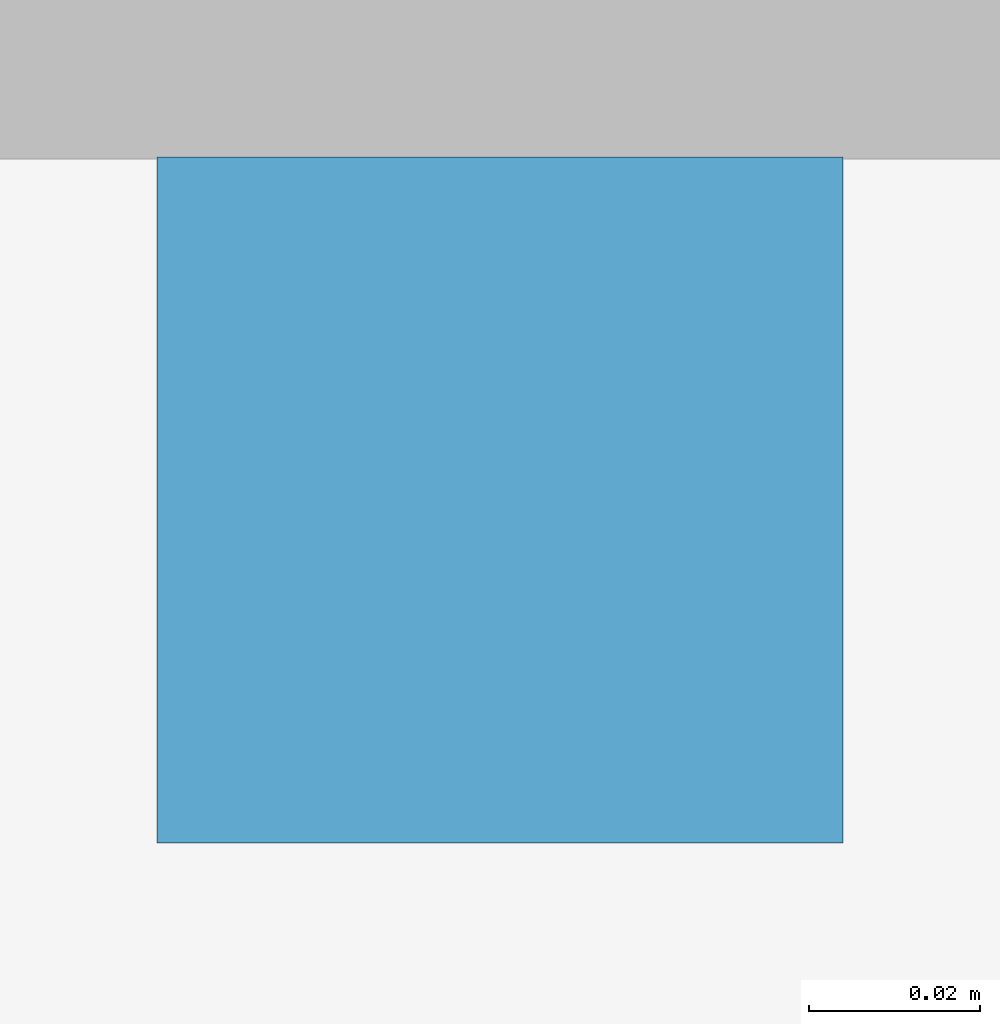
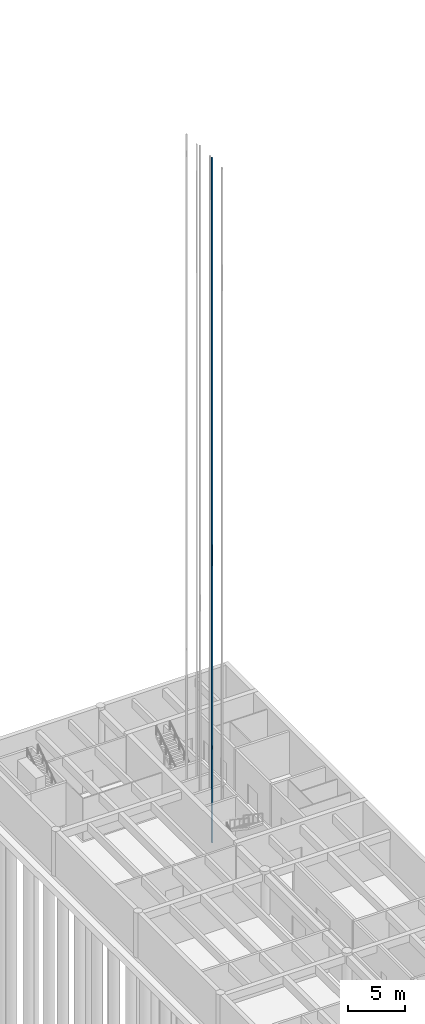
# One storey, part 10 of 24: 1 building element part.
"""IFC4 building model written with IfcOpenShell, lengths in metres."""

from ifc_helpers import new_model, si_unit, direction, frame, origin, origin_2d, place, context, subcontext, project, spatial, rectangle, extrude, element, save


model = new_model("IFC4")

# Units and contexts
model_context = context("Model", 3, precision=1e-05, world=origin(), true_north=direction((0.0, 1.0)))
body_context = subcontext(model_context, "Body", "Model", "MODEL_VIEW")
ifc_project = project(units=[si_unit("LENGTHUNIT", "METRE"), si_unit("AREAUNIT", "SQUARE_METRE"), si_unit("VOLUMEUNIT", "CUBIC_METRE"), si_unit("PLANEANGLEUNIT", "RADIAN"), si_unit("MASSUNIT", "GRAM", prefix="KILO")], contexts=[model_context])

# Site, building, storey
site_placement = place(None, origin())
site = spatial("IfcSite", under=ifc_project, at=site_placement, CompositionType="ELEMENT")
building_placement = place(site_placement, origin())
building = spatial("IfcBuilding", under=site, at=building_placement, Name="Fogon Plaza Fire Station and Headquarters Tower", CompositionType="ELEMENT")
storey_placement = place(building_placement, frame((0.0, 0.0, -4.800048828125)))
storey = spatial("IfcBuildingStorey", under=building, at=storey_placement, Name="B1", CompositionType="ELEMENT", Elevation=-4.800048828125)

# Building element part
building_element_part_placement = place(storey_placement, frame((15.074951171875, 41.985107421875, -1.19970703125), z_axis=(0.0, 0.0, 1.0), x_axis=(1.0, 0.0, 0.0)))
element("IfcBuildingElementPart", 1, at=building_element_part_placement, inside=storey, Name="Guide rail LP1 2", ObjectType="Guide rail", PredefinedType="USERDEFINED", context=body_context, shape_type="SweptSolid", body=[
    extrude(rectangle(XDim=0.080078125, YDim=0.080078125, at=origin_2d()), origin(), (0.0, 0.0, 1.0), 73.199951171875),
])

save(model, "model.ifc")
